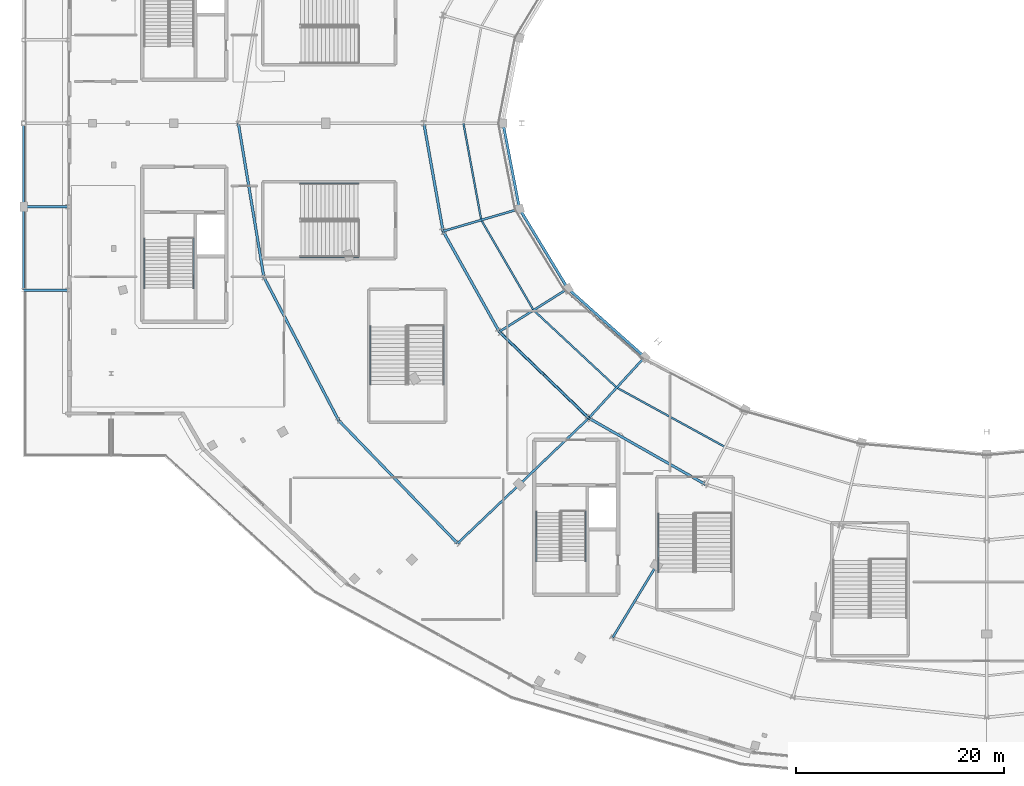
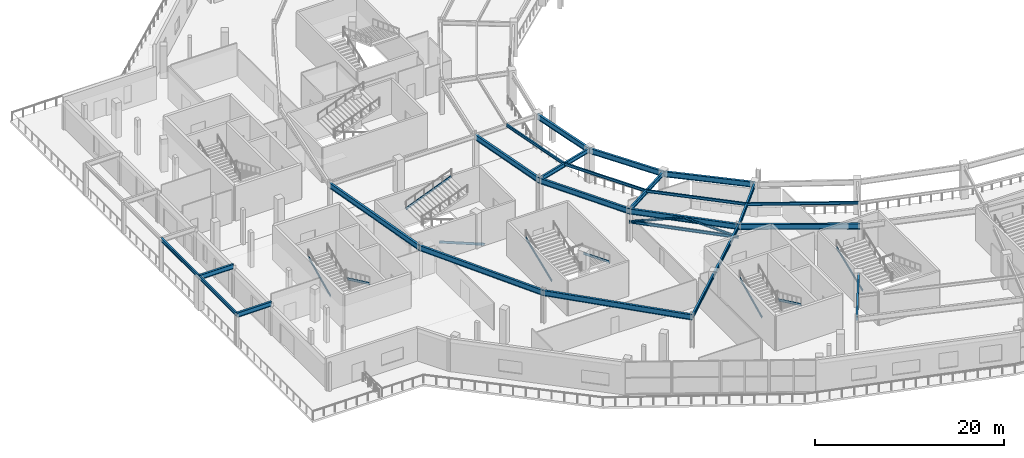
# One storey, part 19 of 107: 25 beams, 11 members.
"""IFC4 building model written with IfcOpenShell, lengths in metres."""

from ifc_helpers import new_model, si_unit, direction, frame, origin, origin_2d, place, context, subcontext, project, spatial, hollow_circle, i_section, extrude, material, material_profile, profile_set, type_object, element, save


model = new_model("IFC4")

# Units and contexts
model_context = context("Model", 3, precision=1e-05, world=origin(), true_north=direction((0.0, 1.0)))
body_context = subcontext(model_context, "Body", "Model", "MODEL_VIEW")
ifc_project = project(units=[si_unit("LENGTHUNIT", "METRE"), si_unit("AREAUNIT", "SQUARE_METRE"), si_unit("VOLUMEUNIT", "CUBIC_METRE"), si_unit("PLANEANGLEUNIT", "RADIAN"), si_unit("MASSUNIT", "GRAM", prefix="KILO")], contexts=[model_context])

# Site, building, storey
site_placement = place(None, origin())
site = spatial("IfcSite", under=ifc_project, at=site_placement, CompositionType="ELEMENT")
building_placement = place(site_placement, origin())
building = spatial("IfcBuilding", under=site, at=building_placement, Name="Kalgoora Escarpment Arena", CompositionType="ELEMENT")
storey_placement = place(building_placement, frame((0.0, 0.0, 5.39990234375)))
storey = spatial("IfcBuildingStorey", under=building, at=storey_placement, Name="L01", CompositionType="ELEMENT", Elevation=5.39990234375)

# Beams
ifc_material_1 = material(Name="Structural steel AS/NZS 3679 (300 MPa)", Category="steel")
ifc_material_profile_1 = material_profile(ifc_material_1, i_section(OverallWidth=0.1708984375, OverallDepth=0.35205078125, WebThickness=0.0068359375, FlangeThickness=0.009765625, at=origin_2d()))
ifc_profile_set_1 = profile_set([ifc_material_profile_1], Name="Structural steel AS/NZS 3679 (300 MPa)")
beam_type_1 = type_object("IfcBeamType", Name="BM-BEAM-360UB44.7", PredefinedType="BEAM", material=ifc_profile_set_1)
beam_1_placement = place(storey_placement, frame((42.195068359375, 64.0, 4.05419921875), z_axis=(0.181263825147, -0.983434505035, 0.0), x_axis=(0.983434505035, 0.181263825147, 0.0)))
element("IfcBeam", 1, at=beam_1_placement, inside=storey, type_object=beam_type_1, Name="L01 Concourse secondary ring beam 360UB44.7", PredefinedType="BEAM", context=body_context, shape_type="SweptSolid", body=[
    extrude(i_section(OverallWidth=0.1708984375, OverallDepth=0.35205078125, WebThickness=0.0068359375, FlangeThickness=0.009765625, at=origin_2d()), origin(), (0.0, 0.0, 1.0), 9.4375),
])
beam_2_placement = place(storey_placement, frame((43.90576171875, 54.71875, 4.064208984375), z_axis=(0.501654133754, -0.865068280593, 0.0), x_axis=(0.865068280593, 0.501654133754, 0.0)))
element("IfcBeam", 2, at=beam_2_placement, inside=storey, type_object=beam_type_1, Name="L01 Concourse secondary ring beam 360UB44.7", PredefinedType="BEAM", context=body_context, shape_type="SweptSolid", body=[
    extrude(i_section(OverallWidth=0.1708984375, OverallDepth=0.35205078125, WebThickness=0.0068359375, FlangeThickness=0.009765625, at=origin_2d()), origin(), (0.0, 0.0, 1.0), 9.997802734375),
])
beam_3_placement = place(storey_placement, frame((48.921142578125, 46.070068359375, 4.064208984375), z_axis=(0.731952134081, -0.681356054801, 0.0), x_axis=(0.681356054801, 0.731952134081, 0.0)))
element("IfcBeam", 3, at=beam_3_placement, inside=storey, type_object=beam_type_1, Name="L01 Concourse secondary ring beam 360UB44.7", PredefinedType="BEAM", context=body_context, shape_type="SweptSolid", body=[
    extrude(i_section(OverallWidth=0.1708984375, OverallDepth=0.35205078125, WebThickness=0.0068359375, FlangeThickness=0.009765625, at=origin_2d()), origin(), (0.0, 0.0, 1.0), 10.900390625),
])
beam_4_placement = place(storey_placement, frame((56.899658203125, 38.64306640625, 4.064208984375), z_axis=(0.87693223227, -0.480614044744, 0.0), x_axis=(0.480614044744, 0.87693223227, 0.0)))
element("IfcBeam", 4, at=beam_4_placement, inside=storey, type_object=beam_type_1, Name="L01 Concourse secondary ring beam 360UB44.7", PredefinedType="BEAM", context=body_context, shape_type="SweptSolid", body=[
    extrude(i_section(OverallWidth=0.1708984375, OverallDepth=0.35205078125, WebThickness=0.0068359375, FlangeThickness=0.009765625, at=origin_2d()), origin(), (0.0, 0.0, 1.0), 11.857177734375),
])
beam_5_placement = place(storey_placement, frame((45.634521484375, 44.0, 2.524169921875), z_axis=(0.719471992915, -0.694521454968, 0.0), x_axis=(0.694521454968, 0.719471992915, 0.0)))
element("IfcBeam", 5, at=beam_5_placement, inside=storey, type_object=beam_type_1, Name="L01 Portal brace collector beam 360UB44.7", PredefinedType="BEAM", context=body_context, shape_type="SweptSolid", body=[
    extrude(i_section(OverallWidth=0.1708984375, OverallDepth=0.35205078125, WebThickness=0.0068359375, FlangeThickness=0.009765625, at=origin_2d()), origin(), (0.0, 0.0, 1.0), 11.927978515625),
])
ifc_material_2 = material(Name="Structural steel AS/NZS 3679 (300 MPa)", Category="steel")
ifc_material_profile_2 = material_profile(ifc_material_2, i_section(OverallWidth=0.208984375, OverallDepth=0.532958984375, WebThickness=0.01025390625, FlangeThickness=0.015625, at=origin_2d()))
ifc_profile_set_2 = profile_set([ifc_material_profile_2], Name="Structural steel AS/NZS 3679 (300 MPa)")
beam_type_2 = type_object("IfcBeamType", Name="BM-GIRDER-530UB92.4", PredefinedType="USERDEFINED", material=ifc_profile_set_2)
beam_6_placement = place(storey_placement, frame((47.5712890625, 55.790283203125, 3.9736328125), z_axis=(-0.959831929539, -0.280575599504, 0.0), x_axis=(0.280575599504, -0.959831929539, 0.0)))
element("IfcBeam", 6, at=beam_6_placement, inside=storey, type_object=beam_type_2, Name="L01 Radial concourse girder 530UB92.4", ObjectType="GIRDER", PredefinedType="USERDEFINED", context=body_context, shape_type="SweptSolid", body=[
    extrude(i_section(OverallWidth=0.208984375, OverallDepth=0.532958984375, WebThickness=0.01025390625, FlangeThickness=0.015625, at=origin_2d()), origin(), (0.0, 0.0, 1.0), 7.63818359375),
])
beam_7_placement = place(storey_placement, frame((52.207763671875, 48.139892578125, 3.9736328125), z_axis=(-0.846164080711, -0.532922460133, 0.0), x_axis=(0.532922460133, -0.846164080711, 0.0)))
element("IfcBeam", 7, at=beam_7_placement, inside=storey, type_object=beam_type_2, Name="L01 Radial concourse girder 530UB92.4", ObjectType="GIRDER", PredefinedType="USERDEFINED", context=body_context, shape_type="SweptSolid", body=[
    extrude(i_section(OverallWidth=0.208984375, OverallDepth=0.532958984375, WebThickness=0.01025390625, FlangeThickness=0.015625, at=origin_2d()), origin(), (0.0, 0.0, 1.0), 7.768310546875),
])
beam_8_placement = place(storey_placement, frame((59.583251953125, 41.570556640625, 3.9736328125), z_axis=(-0.675731588221, -0.737147760412, 0.0), x_axis=(0.737147760412, -0.675731588221, 0.0)))
element("IfcBeam", 8, at=beam_8_placement, inside=storey, type_object=beam_type_2, Name="L01 Radial concourse girder 530UB92.4", ObjectType="GIRDER", PredefinedType="USERDEFINED", context=body_context, shape_type="SweptSolid", body=[
    extrude(i_section(OverallWidth=0.208984375, OverallDepth=0.532958984375, WebThickness=0.01025390625, FlangeThickness=0.015625, at=origin_2d()), origin(), (0.0, 0.0, 1.0), 7.9423828125),
])
beam_9_placement = place(storey_placement, frame((54.21630859375, 35.7158203125, 3.9736328125), z_axis=(-0.722313931554, -0.691565314546, 0.0), x_axis=(0.691565314546, -0.722313931554, 0.0)))
element("IfcBeam", 9, at=beam_9_placement, inside=storey, type_object=beam_type_2, Name="L01 Radial concourse girder 530UB92.4", ObjectType="GIRDER", PredefinedType="USERDEFINED", context=body_context, shape_type="SweptSolid", body=[
    extrude(i_section(OverallWidth=0.208984375, OverallDepth=0.532958984375, WebThickness=0.01025390625, FlangeThickness=0.015625, at=origin_2d()), origin(), (0.0, 0.0, 1.0), 9.202392578125),
])
beam_10_placement = place(storey_placement, frame((47.5693359375, 29.351806640625, 3.9736328125), z_axis=(-0.724130144905, -0.689663347757, 0.0), x_axis=(0.689663347757, -0.724130144905, 0.0)))
element("IfcBeam", 10, at=beam_10_placement, inside=storey, type_object=beam_type_2, Name="L01 Radial concourse girder 530UB92.4", ObjectType="GIRDER", PredefinedType="USERDEFINED", context=body_context, shape_type="SweptSolid", body=[
    extrude(i_section(OverallWidth=0.208984375, OverallDepth=0.532958984375, WebThickness=0.01025390625, FlangeThickness=0.015625, at=origin_2d()), origin(), (0.0, 0.0, 1.0), 8.20263671875),
])
beam_11_placement = place(storey_placement, frame((60.699951171875, 21.564697265625, 3.9736328125), z_axis=(-0.518407902139, -0.85513346736, 0.0), x_axis=(0.85513346736, -0.518407902139, 0.0)))
element("IfcBeam", 11, at=beam_11_placement, inside=storey, type_object=beam_type_2, Name="L01 Radial concourse girder 530UB92.4", ObjectType="GIRDER", PredefinedType="USERDEFINED", context=body_context, shape_type="SweptSolid", body=[
    extrude(i_section(OverallWidth=0.208984375, OverallDepth=0.532958984375, WebThickness=0.01025390625, FlangeThickness=0.015625, at=origin_2d()), origin(), (0.0, 0.0, 1.0), 8.1015625),
])
ifc_material_3 = material(Name="Structural steel AS/NZS 3679 (300 MPa)", Category="steel")
ifc_material_profile_3 = material_profile(ifc_material_3, i_section(OverallWidth=0.22900390625, OverallDepth=0.612060546875, WebThickness=0.011962890625, FlangeThickness=0.01953125, at=origin_2d()))
ifc_profile_set_3 = profile_set([ifc_material_profile_3], Name="Structural steel AS/NZS 3679 (300 MPa)")
beam_type_3 = type_object("IfcBeamType", Name="BM-GIRDER-610UB125", PredefinedType="USERDEFINED", material=ifc_profile_set_3)
for number, where, z_axis, x_axis, name in (
    (12, (0.0, 48.0, 4.004150390625), (1.0, 0.0, 0.0), (0.0, 1.0, 0.0), "L01 Entrance canopy girder 610UB125"),
    (13, (0.0, 56.0, 4.004150390625), (1.0, 0.0, 0.0), (0.0, 1.0, 0.0), "L01 Entrance canopy girder 610UB125"),
):
    element("IfcBeam", number, at=place(storey_placement, frame(where, z_axis=z_axis, x_axis=x_axis)), inside=storey, type_object=beam_type_3, Name=name, ObjectType="GIRDER", PredefinedType="USERDEFINED", context=body_context, shape_type="SweptSolid", body=[
        extrude(i_section(OverallWidth=0.22900390625, OverallDepth=0.612060546875, WebThickness=0.011962890625, FlangeThickness=0.01953125, at=origin_2d()), origin(), (0.0, 0.0, 1.0), 4.199951171875),
    ])
ifc_material_4 = material(Name="Structural steel AS/NZS 3679 (300 MPa)", Category="steel")
ifc_material_profile_4 = material_profile(ifc_material_4, i_section(OverallWidth=0.25, OverallDepth=0.699951171875, WebThickness=0.010009765625, FlangeThickness=0.02001953125, at=origin_2d()))
ifc_profile_set_4 = profile_set([ifc_material_profile_4], Name="Structural steel AS/NZS 3679 (300 MPa)")
beam_type_4 = type_object("IfcBeamType", Name="BM-GIRDER-700WB130", PredefinedType="USERDEFINED", material=ifc_profile_set_4)
beam_12_placement = place(storey_placement, frame((45.989990234375, 64.0, 3.880126953125), z_axis=(0.189136565421, -0.981950792871, 0.0), x_axis=(0.981950792871, 0.189136565421, 0.0)))
element("IfcBeam", 14, at=beam_12_placement, inside=storey, type_object=beam_type_4, Name="L01 Circumferential concourse girder RMID 700WB130", ObjectType="GIRDER", PredefinedType="USERDEFINED", context=body_context, shape_type="SweptSolid", body=[
    extrude(i_section(OverallWidth=0.25, OverallDepth=0.699951171875, WebThickness=0.010009765625, FlangeThickness=0.02001953125, at=origin_2d()), origin(), (0.0, 0.0, 1.0), 8.360595703125),
])
beam_13_placement = place(storey_placement, frame((38.39990234375, 64.0, 3.880126953125), z_axis=(0.174995823084, -0.984569175784, 0.0), x_axis=(0.984569175784, 0.174995823084, 0.0)))
element("IfcBeam", 15, at=beam_13_placement, inside=storey, type_object=beam_type_4, Name="L01 Circumferential concourse girder RMAIN 700WB130", ObjectType="GIRDER", PredefinedType="USERDEFINED", context=body_context, shape_type="SweptSolid", body=[
    extrude(i_section(OverallWidth=0.25, OverallDepth=0.699951171875, WebThickness=0.010009765625, FlangeThickness=0.02001953125, at=origin_2d()), origin(), (0.0, 0.0, 1.0), 10.51513671875),
])
beam_14_placement = place(storey_placement, frame((47.5712890625, 55.790283203125, 3.89013671875), z_axis=(0.518291433659, -0.855204063248, 0.0), x_axis=(0.855204063248, 0.518291433659, 0.0)))
element("IfcBeam", 16, at=beam_14_placement, inside=storey, type_object=beam_type_4, Name="L01 Circumferential concourse girder RMID 700WB130", ObjectType="GIRDER", PredefinedType="USERDEFINED", context=body_context, shape_type="SweptSolid", body=[
    extrude(i_section(OverallWidth=0.25, OverallDepth=0.699951171875, WebThickness=0.010009765625, FlangeThickness=0.02001953125, at=origin_2d()), origin(), (0.0, 0.0, 1.0), 8.94580078125),
])
beam_15_placement = place(storey_placement, frame((40.239990234375, 53.647216796875, 3.89013671875), z_axis=(0.488058469962, -0.872810935941, 0.0), x_axis=(0.872810935941, 0.488058469962, 0.0)))
element("IfcBeam", 17, at=beam_15_placement, inside=storey, type_object=beam_type_4, Name="L01 Circumferential concourse girder RMAIN 700WB130", ObjectType="GIRDER", PredefinedType="USERDEFINED", context=body_context, shape_type="SweptSolid", body=[
    extrude(i_section(OverallWidth=0.25, OverallDepth=0.699951171875, WebThickness=0.010009765625, FlangeThickness=0.02001953125, at=origin_2d()), origin(), (0.0, 0.0, 1.0), 11.052978515625),
])
beam_16_placement = place(storey_placement, frame((52.207763671875, 48.139892578125, 3.89013671875), z_axis=(0.746737965203, -0.665118343849, 0.0), x_axis=(0.665118343849, 0.746737965203, 0.0)))
element("IfcBeam", 18, at=beam_16_placement, inside=storey, type_object=beam_type_4, Name="L01 Circumferential concourse girder RMID 700WB130", ObjectType="GIRDER", PredefinedType="USERDEFINED", context=body_context, shape_type="SweptSolid", body=[
    extrude(i_section(OverallWidth=0.25, OverallDepth=0.699951171875, WebThickness=0.010009765625, FlangeThickness=0.02001953125, at=origin_2d()), origin(), (0.0, 0.0, 1.0), 9.876953125),
])
beam_17_placement = place(storey_placement, frame((45.634521484375, 44.0, 3.89013671875), z_axis=(0.719471992915, -0.694521454968, 0.0), x_axis=(0.694521454968, 0.719471992915, 0.0)))
element("IfcBeam", 19, at=beam_17_placement, inside=storey, type_object=beam_type_4, Name="L01 Circumferential concourse girder RMAIN 700WB130", ObjectType="GIRDER", PredefinedType="USERDEFINED", context=body_context, shape_type="SweptSolid", body=[
    extrude(i_section(OverallWidth=0.25, OverallDepth=0.699951171875, WebThickness=0.010009765625, FlangeThickness=0.02001953125, at=origin_2d()), origin(), (0.0, 0.0, 1.0), 11.927978515625),
])
beam_18_placement = place(storey_placement, frame((54.21630859375, 35.7158203125, 3.89013671875), z_axis=(0.869369098708, -0.494163303182, 0.0), x_axis=(0.494163303182, 0.869369098708, 0.0)))
element("IfcBeam", 20, at=beam_18_placement, inside=storey, type_object=beam_type_4, Name="L01 Circumferential concourse girder RMAIN 700WB130", ObjectType="GIRDER", PredefinedType="USERDEFINED", context=body_context, shape_type="SweptSolid", body=[
    extrude(i_section(OverallWidth=0.25, OverallDepth=0.699951171875, WebThickness=0.010009765625, FlangeThickness=0.02001953125, at=origin_2d()), origin(), (0.0, 0.0, 1.0), 12.864013671875),
])
ifc_material_5 = material(Name="Structural steel AS/NZS 3679 (300 MPa)", Category="steel")
ifc_material_profile_5 = material_profile(ifc_material_5, i_section(OverallWidth=0.19091796875, OverallDepth=0.4599609375, WebThickness=0.010009765625, FlangeThickness=0.01611328125, at=origin_2d()))
ifc_profile_set_5 = profile_set([ifc_material_profile_5], Name="Structural steel AS/NZS 3679 (300 MPa)")
beam_type_5 = type_object("IfcBeamType", Name="BM-SPANDREL-460UB82.1", PredefinedType="SPANDREL", material=ifc_profile_set_5)
for number, where, z_axis, x_axis, name in (
    (21, (0.0, 48.0, 4.080078125), (0.0, 1.0, 0.0), (-1.0, 0.0, 0.0), "L01 Entrance canopy spandrel 460UB82.1"),
    (22, (0.0, 56.0, 4.080078125), (0.0, 1.0, 0.0), (-1.0, 0.0, 0.0), "L01 Entrance canopy spandrel 460UB82.1"),
):
    element("IfcBeam", number, at=place(storey_placement, frame(where, z_axis=z_axis, x_axis=x_axis)), inside=storey, type_object=beam_type_5, Name=name, PredefinedType="SPANDREL", context=body_context, shape_type="SweptSolid", body=[
        extrude(i_section(OverallWidth=0.19091796875, OverallDepth=0.4599609375, WebThickness=0.010009765625, FlangeThickness=0.01611328125, at=origin_2d()), origin(), (0.0, 0.0, 1.0), 8.0),
    ])
ifc_material_6 = material(Name="Structural steel AS/NZS 3679 (300 MPa)", Category="steel")
ifc_material_profile_6 = material_profile(ifc_material_6, i_section(OverallWidth=0.25, OverallDepth=0.699951171875, WebThickness=0.010009765625, FlangeThickness=0.02001953125, at=origin_2d()))
ifc_profile_set_6 = profile_set([ifc_material_profile_6], Name="Structural steel AS/NZS 3679 (300 MPa)")
beam_type_6 = type_object("IfcBeamType", Name="BM-SPANDREL-700WB130", PredefinedType="SPANDREL", material=ifc_profile_set_6)
beam_19_placement = place(storey_placement, frame((20.60009765625, 64.0, 3.880126953125), z_axis=(0.163586163215, -0.98652905036, 0.0), x_axis=(0.98652905036, 0.163586163215, 0.0)))
element("IfcBeam", 23, at=beam_19_placement, inside=storey, type_object=beam_type_6, Name="L01 Circumferential concourse girder RCONC2 700WB130", PredefinedType="SPANDREL", context=body_context, shape_type="SweptSolid", body=[
    extrude(i_section(OverallWidth=0.25, OverallDepth=0.699951171875, WebThickness=0.010009765625, FlangeThickness=0.02001953125, at=origin_2d()), origin(), (0.0, 0.0, 1.0), 14.9541015625),
])
beam_20_placement = place(storey_placement, frame((23.04638671875, 49.247314453125, 3.89013671875), z_axis=(0.462595600895, -0.886569405085, 0.0), x_axis=(0.886569405085, 0.462595600895, 0.0)))
element("IfcBeam", 24, at=beam_20_placement, inside=storey, type_object=beam_type_6, Name="L01 Circumferential concourse girder RCONC2 700WB130", PredefinedType="SPANDREL", context=body_context, shape_type="SweptSolid", body=[
    extrude(i_section(OverallWidth=0.25, OverallDepth=0.699951171875, WebThickness=0.010009765625, FlangeThickness=0.02001953125, at=origin_2d()), origin(), (0.0, 0.0, 1.0), 15.506103515625),
])
beam_21_placement = place(storey_placement, frame((30.219482421875, 35.5, 3.89013671875), z_axis=(0.694974435465, -0.719034445663, 0.0), x_axis=(0.719034445663, 0.694974435465, 0.0)))
element("IfcBeam", 25, at=beam_21_placement, inside=storey, type_object=beam_type_6, Name="L01 Circumferential concourse girder RCONC2 700WB130", PredefinedType="SPANDREL", context=body_context, shape_type="SweptSolid", body=[
    extrude(i_section(OverallWidth=0.25, OverallDepth=0.699951171875, WebThickness=0.010009765625, FlangeThickness=0.02001953125, at=origin_2d()), origin(), (0.0, 0.0, 1.0), 16.418212890625),
])

# Members
ifc_material_7 = material(Name="Structural steel C350 (350 MPa)", Category="steel")
ifc_material_profile_7 = material_profile(ifc_material_7, hollow_circle(Radius=0.136474609375, WallThickness=0.00927734375, at=origin_2d()))
ifc_profile_set_7 = profile_set([ifc_material_profile_7], Name="Structural steel C350 (350 MPa)")
member_type_1 = type_object("IfcMemberType", Name="MEM-BRACE-CHS273", PredefinedType="BRACE", material=ifc_profile_set_7)
member_1_placement = place(storey_placement, frame((45.634521484375, 44.0, 2.52001953125), z_axis=(0.696893494727, -0.672745094255, 0.248502505346), x_axis=(0.694531682696, 0.719462119733, 0.0)))
element("IfcMember", 26, at=member_1_placement, inside=storey, type_object=member_type_1, Name="L01 concentric lateral brace R15-1", PredefinedType="BRACE", context=body_context, shape_type="SweptSolid", body=[
    extrude(hollow_circle(Radius=0.136474609375, WallThickness=0.00927734375, at=origin_2d()), origin(), (0.0, 0.0, 1.0), 6.156982421875),
])
member_2_placement = place(storey_placement, frame((54.21630859375, 35.7158203125, 2.52001953125), z_axis=(-0.69691388875, 0.672726504127, 0.248495638416), x_axis=(-0.694511227401, -0.71948186566, 0.0)))
element("IfcMember", 27, at=member_2_placement, inside=storey, type_object=member_type_1, Name="L01 concentric lateral brace R15-2", PredefinedType="BRACE", context=body_context, shape_type="SweptSolid", body=[
    extrude(hollow_circle(Radius=0.136474609375, WallThickness=0.00927734375, at=origin_2d()), origin(), (0.0, 0.0, 1.0), 6.1572265625),
])
ifc_material_8 = material(Name="Structural steel AS/NZS 3679 (300 MPa)", Category="steel")
ifc_material_profile_8 = material_profile(ifc_material_8, i_section(OverallWidth=0.090087890625, OverallDepth=0.300048828125, WebThickness=0.008056640625, FlangeThickness=0.01611328125, at=origin_2d()))
ifc_profile_set_8 = profile_set([ifc_material_profile_8], Name="Structural steel AS/NZS 3679 (300 MPa)")
member_type_2 = type_object("IfcMemberType", Name="MEM-STRINGER-PFC", PredefinedType="STRINGER", material=ifc_profile_set_8)
for number, where, z_axis, x_axis, name in (
    (28, (16.330078125, 52.909912109375, -0.039794921875), (0.0, -0.902682652253, 0.430306901317), (1.0, 0.0, 0.0), "ST02 L01 steel stair stringer 1"),
    (29, (11.570068359375, 48.18994140625, 2.210205078125), (0.0, 0.902682652253, 0.430306901317), (-1.0, 0.0, 0.0), "ST02 L01 steel stair stringer 2"),
    (30, (53.929931640625, 26.7099609375, -0.039794921875), (0.0, -0.902682652253, 0.430306901317), (1.0, 0.0, 0.0), "ST05 L01 steel stair stringer 1"),
    (31, (49.169921875, 21.989990234375, 2.210205078125), (0.0, 0.902682652253, 0.430306901317), (-1.0, 0.0, 0.0), "ST05 L01 steel stair stringer 2"),
):
    element("IfcMember", number, at=place(storey_placement, frame(where, z_axis=z_axis, x_axis=x_axis)), inside=storey, type_object=member_type_2, Name=name, PredefinedType="STRINGER", context=body_context, shape_type="SweptSolid", body=[
        extrude(i_section(OverallWidth=0.090087890625, OverallDepth=0.300048828125, WebThickness=0.008056640625, FlangeThickness=0.01611328125, at=origin_2d()), origin(), (0.0, 0.0, 1.0), 5.228759765625),
    ])
for number, where, z_axis, x_axis, name in (
    (32, (60.8701171875, 20.949951171875, 2.210205078125), (0.0, 0.926975796404, 0.375121144273), (-1.0, 0.0, 0.0), "ST13 L01 steel stair stringer 2"),
    (33, (32.110107421875, 51.169921875, -0.039794921875), (-0.926975796404, 0.0, 0.375121144273), (0.0, -1.0, 0.0), "ST18 L01 steel stair stringer 1"),
    (34, (26.550048828125, 58.22998046875, 2.210205078125), (0.926975796404, 0.0, 0.375121144273), (0.0, 1.0, 0.0), "ST18 L01 steel stair stringer 2"),
    (35, (40.330078125, 44.510009765625, -0.039794921875), (0.0, -0.926975796404, 0.375121144273), (1.0, 0.0, 0.0), "ST20 L01 steel stair stringer 1"),
    (36, (33.27001953125, 38.949951171875, 2.210205078125), (0.0, 0.926975796404, 0.375121144273), (-1.0, 0.0, 0.0), "ST20 L01 steel stair stringer 2"),
):
    element("IfcMember", number, at=place(storey_placement, frame(where, z_axis=z_axis, x_axis=x_axis)), inside=storey, type_object=member_type_2, Name=name, PredefinedType="STRINGER", context=body_context, shape_type="SweptSolid", body=[
        extrude(i_section(OverallWidth=0.090087890625, OverallDepth=0.300048828125, WebThickness=0.008056640625, FlangeThickness=0.01611328125, at=origin_2d()), origin(), (0.0, 0.0, 1.0), 5.998046875),
    ])

save(model, "model.ifc")
